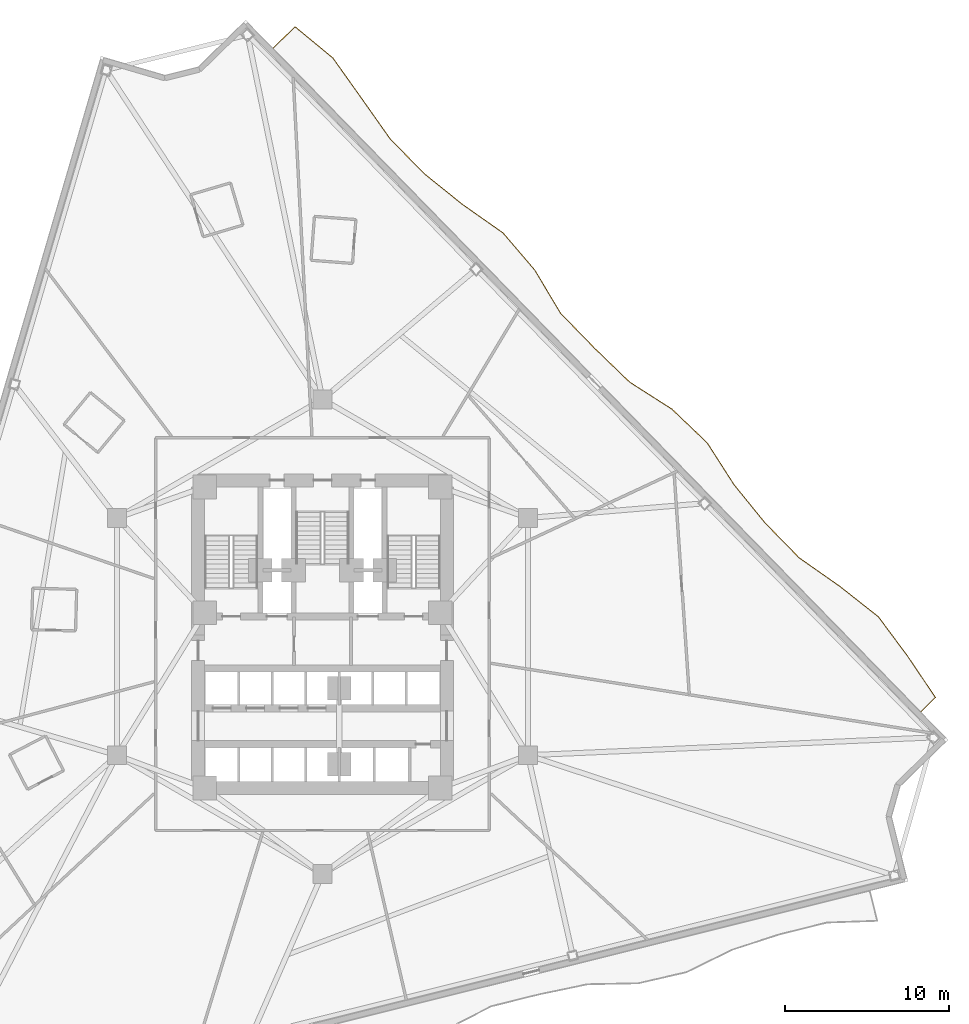
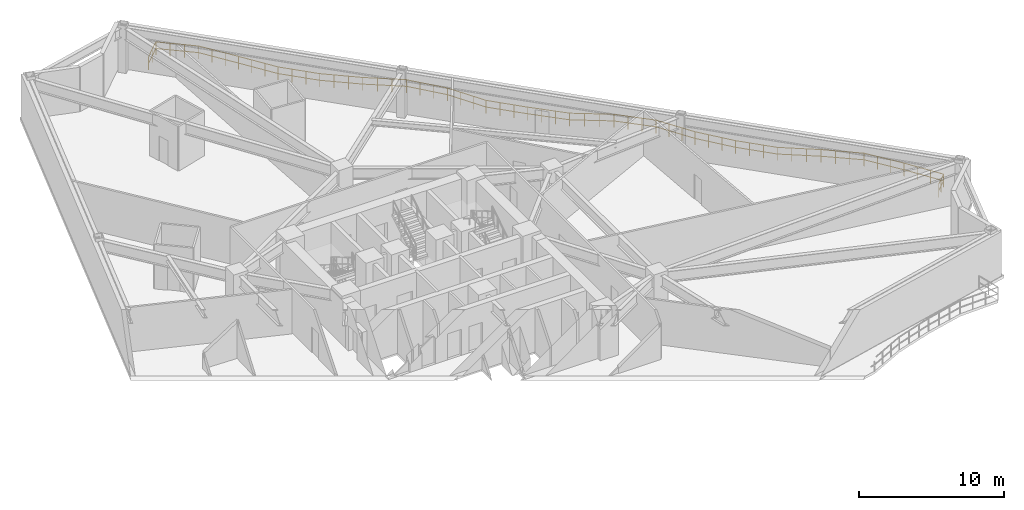
# One storey, part 9 of 9: 1 railing.
"""IFC4 building model written with IfcOpenShell, lengths in metres."""

import ifcopenshell
import ifcopenshell.guid

model = None  # the IFC model being written
_history = None  # IfcOwnerHistory: only IFC2X3 demands one
_inside = {}  # id of a spatial element -> (the spatial element, [elements in it])
_under = {}  # id of a project, library or spatial element -> (it, [spatial elements below it])
_declared = {}  # id of a project -> (the project, [libraries it declares])
_typed = {}  # id of a type object -> (the type object, [elements of that type])
_made_of = {}  # id of a material, layer set ... -> (it, [elements and type objects made of it])


def new_model(schema):
    """Start an empty IFC model of exactly this schema.

    Asked for "IFC4X3", IfcOpenShell would pick the latest addendum, in which some entities
    have other attributes; the version numbers below select the first issue.
    IFC2X3 requires an IfcOwnerHistory on every rooted entity: one is made here for all.
    """
    global model, _history
    if schema == "IFC4X3":
        model = ifcopenshell.file(schema_version=(4, 3, 0, 0))
    else:
        model = ifcopenshell.file(schema=schema)
    _inside.clear()
    _under.clear()
    _declared.clear()
    _typed.clear()
    _made_of.clear()
    _history = None
    if model.schema == "IFC2X3":
        org = make("IfcOrganization", Name="unknown")
        user = make(
            "IfcPersonAndOrganization",
            ThePerson=make("IfcPerson", FamilyName="unknown"),
            TheOrganization=org,
        )
        app = make(
            "IfcApplication",
            ApplicationDeveloper=org,
            Version="unknown",
            ApplicationFullName="unknown",
            ApplicationIdentifier="unknown",
        )
        _history = make(
            "IfcOwnerHistory",
            OwningUser=user,
            OwningApplication=app,
            ChangeAction="ADDED",
            CreationDate=0,
        )
    return model


def make(cls, **values):
    """One entity of the class cls with the attributes given. An attribute that is None is left unset."""
    return model.create_entity(
        cls, **{name: value for name, value in values.items() if value is not None}
    )


def rooted(cls, **values):
    """An entity with a GlobalId (a new one), such as an element, a storey or a relation."""
    return make(cls, GlobalId=ifcopenshell.guid.new(), OwnerHistory=_history, **values)


def si_unit(unit_type, name, prefix=None):
    """IfcSIUnit, for example si_unit("LENGTHUNIT", "METRE", prefix="MILLI")."""
    return make("IfcSIUnit", UnitType=unit_type, Prefix=prefix, Name=name)


def assignment(units):
    """IfcUnitAssignment: the units of a project."""
    return None if units is None else make("IfcUnitAssignment", Units=units)


def point(xyz):
    """IfcCartesianPoint."""
    return None if xyz is None else make("IfcCartesianPoint", Coordinates=xyz)


def direction(xyz):
    """IfcDirection."""
    return None if xyz is None else make("IfcDirection", DirectionRatios=xyz)


def frame(location, z_axis=None, x_axis=None):
    """IfcAxis2Placement3D, a coordinate frame: its origin and axes. An axis left out is left unset."""
    return make(
        "IfcAxis2Placement3D",
        Location=point(location),
        Axis=direction(z_axis),
        RefDirection=direction(x_axis),
    )


def frame_2d(location, x_axis=None):
    """IfcAxis2Placement2D, a coordinate frame in the plane: its origin and x axis."""
    return make(
        "IfcAxis2Placement2D", Location=point(location), RefDirection=direction(x_axis)
    )


def origin():
    """The frame at (0, 0, 0) with its axes left unset."""
    return frame((0.0, 0.0, 0.0))


def origin_2d():
    """The frame at (0, 0) in the plane with its x axis left unset."""
    return frame_2d((0.0, 0.0))


def place(relative_to, where):
    """IfcLocalPlacement: puts the frame where relative to a parent placement (None: the world)."""
    return make(
        "IfcLocalPlacement", PlacementRelTo=relative_to, RelativePlacement=where
    )


def context(
    kind, dimensions, precision=None, world=None, true_north=None, identifier=None
):
    """IfcGeometricRepresentationContext, for example the 3D "Model" context."""
    return make(
        "IfcGeometricRepresentationContext",
        ContextIdentifier=identifier,
        ContextType=kind,
        CoordinateSpaceDimension=dimensions,
        Precision=precision,
        WorldCoordinateSystem=world,
        TrueNorth=true_north,
    )


def subcontext(parent, identifier, kind, view, scale=None):
    """IfcGeometricRepresentationSubContext, for example "Body" below "Model"."""
    return make(
        "IfcGeometricRepresentationSubContext",
        ContextIdentifier=identifier,
        ContextType=kind,
        ParentContext=parent,
        TargetScale=scale,
        TargetView=view,
    )


def project(units=None, contexts=None):
    """IfcProject with its units and contexts."""
    return rooted(
        "IfcProject",
        Name="project",
        RepresentationContexts=contexts,
        UnitsInContext=assignment(units),
    )


def spatial(cls, under=None, at=None, **own):
    """A site, building, storey or space (cls), placed at a placement, below another one or the project."""
    s = rooted(cls, ObjectPlacement=at, **own)
    if under is not None:
        _under.setdefault(under.id(), (under, []))[1].append(s)
    return s


def profile(cls, at=None, kind="AREA", **sizes):
    """A parametric profile (cls). Its sizes go by their IFC names, for example OverallWidth=200.0."""
    return make(cls, ProfileType=kind, Position=at, **sizes)


def rectangle(**sizes):
    """IfcRectangleProfileDef."""
    return profile("IfcRectangleProfileDef", **sizes)


def extrude(swept, where, along, depth):
    """IfcExtrudedAreaSolid: the profile swept, set in the frame where, extruded along a direction by depth."""
    return make(
        "IfcExtrudedAreaSolid",
        SweptArea=swept,
        Position=where,
        ExtrudedDirection=direction(along),
        Depth=depth,
    )


def shape(context_of_items, identifier, shape_type, items):
    """IfcShapeRepresentation: the items that make up one representation, for example the "Body"."""
    return make(
        "IfcShapeRepresentation",
        ContextOfItems=context_of_items,
        RepresentationIdentifier=identifier,
        RepresentationType=shape_type,
        Items=items,
    )


def material(Name=None, Category=None):
    """IfcMaterial."""
    return make("IfcMaterial", Name=Name, Category=Category)


def made_of(thing, what):
    """Note that an element or type object is made of a material, layer set ...; save() writes the relation."""
    if what is not None:
        _made_of.setdefault(what.id(), (what, []))[1].append(thing)
    return thing


def type_object(cls, material=None, **own):
    """A type object (cls), such as IfcWallType, which elements share."""
    return made_of(rooted(cls, **own), material)


def element(
    cls,
    number,
    at=None,
    inside=None,
    cuts=None,
    type_object=None,
    material=None,
    context=None,
    identifier="Body",
    shape_type=None,
    held_by="IfcProductDefinitionShape",
    body=None,
    shapes=None,
    **own,
):
    """One element of the class cls, such as IfcWall. Its Tag is "e" and its number.

    at: its placement. inside: the storey or other place that contains it. cuts: it is an
    opening in that element (IfcRelVoidsElement). A single representation is given by context,
    identifier, shape_type and body (its items); several are given by shapes. held_by: the class
    of the entity that holds the representations. save() writes the other relations.
    """
    e = rooted(cls, Tag="e%d" % number, ObjectPlacement=at, **own)
    if body is not None:
        shapes = [shape(context, identifier, shape_type, body)]
    if shapes is not None:
        e.Representation = make(held_by, Representations=shapes)
    if inside is not None:
        _inside.setdefault(inside.id(), (inside, []))[1].append(e)
    if cuts is not None:
        rooted(
            "IfcRelVoidsElement", RelatingBuildingElement=cuts, RelatedOpeningElement=e
        )
    if type_object is not None:
        _typed.setdefault(type_object.id(), (type_object, []))[1].append(e)
    return made_of(e, material)


def aggregate(whole, parts):
    """IfcRelAggregates: a whole, such as a stair, and the parts it consists of."""
    return rooted("IfcRelAggregates", RelatingObject=whole, RelatedObjects=parts)


def save(model, path):
    """Write the relations noted so far, then the file.

    IfcRelAggregates (storeys below a building ...), IfcRelContainedInSpatialStructure (elements
    in a storey), IfcRelDefinesByType, IfcRelAssociatesMaterial and IfcRelDeclares: one each for
    every whole, place, type object, material and project.
    """
    for whole, parts in _under.values():
        aggregate(whole, parts)
    for where, things in _inside.values():
        rooted(
            "IfcRelContainedInSpatialStructure",
            RelatedElements=things,
            RelatingStructure=where,
        )
    for kind, things in _typed.values():
        rooted("IfcRelDefinesByType", RelatedObjects=things, RelatingType=kind)
    for what, things in _made_of.values():
        rooted("IfcRelAssociatesMaterial", RelatedObjects=things, RelatingMaterial=what)
    for by, libraries in _declared.values():
        rooted("IfcRelDeclares", RelatingContext=by, RelatedDefinitions=libraries)
    model.write(path)


model = new_model("IFC4")

# Units and contexts
model_context = context("Model", 3, precision=1e-05, world=origin(), true_north=direction((0.0, 1.0)))
body_context = subcontext(model_context, "Body", "Model", "MODEL_VIEW")
ifc_project = project(units=[si_unit("LENGTHUNIT", "METRE"), si_unit("AREAUNIT", "SQUARE_METRE"), si_unit("VOLUMEUNIT", "CUBIC_METRE"), si_unit("PLANEANGLEUNIT", "RADIAN"), si_unit("MASSUNIT", "GRAM", prefix="KILO")], contexts=[model_context])

# Site, building, storey
site_placement = place(None, origin())
site = spatial("IfcSite", under=ifc_project, at=site_placement, CompositionType="ELEMENT")
building_placement = place(site_placement, origin())
building = spatial("IfcBuilding", under=site, at=building_placement, Name="Apsidion Concourse Tower", CompositionType="ELEMENT")
storey_placement = place(building_placement, frame((0.0, 0.0, 111.0)))
storey = spatial("IfcBuildingStorey", under=building, at=storey_placement, Name="L25", CompositionType="ELEMENT", Elevation=111.0)

# Railing
ifc_material = material(Name="Brushed stainless steel 316", Category="steel")
railing_type = type_object("IfcRailingType", Name="RL-BAL-1120", PredefinedType="BALUSTRADE", material=ifc_material)
railing_placement = place(storey_placement, frame((-3.018310546875, 35.96728515625, 0.0)))
element("IfcRailing", 1, at=railing_placement, inside=storey, type_object=railing_type, Name="L25 Face 3 Rippling Balcony Balustrade", PredefinedType="BALUSTRADE", context=body_context, shape_type="SweptSolid", body=[
    extrude(rectangle(XDim=0.048095703125, YDim=0.048095703125, at=origin_2d()), frame((0.0, 0.0, 1.09619140625), z_axis=(0.715657977109, 0.698450900064, 0.0), x_axis=(-0.698450900064, 0.715657977109, 0.0)), (0.0, 0.0, 1.0), 1.872802734375),
    extrude(rectangle(XDim=0.048095703125, YDim=0.048095703125, at=origin_2d()), frame((0.0, 0.0, 0.5361328125), z_axis=(0.715657977109, 0.698450900064, 0.0), x_axis=(-0.698450900064, 0.715657977109, 0.0)), (0.0, 0.0, 1.0), 1.872802734375),
    extrude(rectangle(XDim=0.048095703125, YDim=0.048095703125, at=origin_2d()), frame((1.34033203125, 1.30810546875, 1.09619140625), z_axis=(0.771307360376, -0.636462847172, 0.0), x_axis=(0.636462847172, 0.771307360376, 0.0)), (0.0, 0.0, 1.0), 3.0),
    extrude(rectangle(XDim=0.048095703125, YDim=0.048095703125, at=origin_2d()), frame((1.34033203125, 1.30810546875, 0.5361328125), z_axis=(0.771307360376, -0.636462847172, 0.0), x_axis=(0.636462847172, 0.771307360376, 0.0)), (0.0, 0.0, 1.0), 3.0),
    extrude(rectangle(XDim=0.048095703125, YDim=0.048095703125, at=origin_2d()), frame((3.654296875, -0.601318359375, 1.09619140625), z_axis=(0.579600161337, -0.814901008085, 0.0), x_axis=(0.814901008085, 0.579600161337, 0.0)), (0.0, 0.0, 1.0), 3.019287109375),
    extrude(rectangle(XDim=0.048095703125, YDim=0.048095703125, at=origin_2d()), frame((3.654296875, -0.601318359375, 0.5361328125), z_axis=(0.579600161337, -0.814901008085, 0.0), x_axis=(0.814901008085, 0.579600161337, 0.0)), (0.0, 0.0, 1.0), 3.019287109375),
    extrude(rectangle(XDim=0.048095703125, YDim=0.048095703125, at=origin_2d()), frame((5.404296875, -3.061767578125, 1.09619140625), z_axis=(0.576181800103, -0.817321560483, 0.0), x_axis=(0.817321560483, 0.576181800103, 0.0)), (0.0, 0.0, 1.0), 3.021240234375),
    extrude(rectangle(XDim=0.048095703125, YDim=0.048095703125, at=origin_2d()), frame((5.404296875, -3.061767578125, 0.5361328125), z_axis=(0.576181800103, -0.817321560483, 0.0), x_axis=(0.817321560483, 0.576181800103, 0.0)), (0.0, 0.0, 1.0), 3.021240234375),
    extrude(rectangle(XDim=0.048095703125, YDim=0.048095703125, at=origin_2d()), frame((7.14501953125, -5.531005859375, 1.09619140625), z_axis=(0.698501798427, -0.715608298998, 0.0), x_axis=(0.715608298998, 0.698501798427, 0.0)), (0.0, 0.0, 1.0), 2.98291015625),
    extrude(rectangle(XDim=0.048095703125, YDim=0.048095703125, at=origin_2d()), frame((7.14501953125, -5.531005859375, 0.5361328125), z_axis=(0.698501798427, -0.715608298998, 0.0), x_axis=(0.715608298998, 0.698501798427, 0.0)), (0.0, 0.0, 1.0), 2.98291015625),
    extrude(rectangle(XDim=0.048095703125, YDim=0.048095703125, at=origin_2d()), frame((9.228515625, -7.66552734375, 1.09619140625), z_axis=(0.779384228734, -0.626546266448, 0.0), x_axis=(0.626546266448, 0.779384228734, 0.0)), (0.0, 0.0, 1.0), 3.004638671875),
    extrude(rectangle(XDim=0.048095703125, YDim=0.048095703125, at=origin_2d()), frame((9.228515625, -7.66552734375, 0.5361328125), z_axis=(0.779384228734, -0.626546266448, 0.0), x_axis=(0.626546266448, 0.779384228734, 0.0)), (0.0, 0.0, 1.0), 3.004638671875),
    extrude(rectangle(XDim=0.048095703125, YDim=0.048095703125, at=origin_2d()), frame((11.5703125, -9.548095703125, 1.09619140625), z_axis=(0.818365530483, -0.574698058564, 0.0), x_axis=(0.574698058564, 0.818365530483, 0.0)), (0.0, 0.0, 1.0), 3.034912109375),
    extrude(rectangle(XDim=0.048095703125, YDim=0.048095703125, at=origin_2d()), frame((11.5703125, -9.548095703125, 0.5361328125), z_axis=(0.818365530483, -0.574698058564, 0.0), x_axis=(0.574698058564, 0.818365530483, 0.0)), (0.0, 0.0, 1.0), 3.034912109375),
    extrude(rectangle(XDim=0.048095703125, YDim=0.048095703125, at=origin_2d()), frame((14.053955078125, -11.292236328125, 1.09619140625), z_axis=(0.649391414174, -0.760454332091, 0.0), x_axis=(0.760454332091, 0.649391414174, 0.0)), (0.0, 0.0, 1.0), 2.989501953125),
    extrude(rectangle(XDim=0.048095703125, YDim=0.048095703125, at=origin_2d()), frame((14.053955078125, -11.292236328125, 0.5361328125), z_axis=(0.649391414174, -0.760454332091, 0.0), x_axis=(0.760454332091, 0.649391414174, 0.0)), (0.0, 0.0, 1.0), 2.989501953125),
    extrude(rectangle(XDim=0.048095703125, YDim=0.048095703125, at=origin_2d()), frame((15.995361328125, -13.565673828125, 1.09619140625), z_axis=(0.51285601398, -0.858474640816, 0.0), x_axis=(0.858474640816, 0.51285601398, 0.0)), (0.0, 0.0, 1.0), 3.067138671875),
    extrude(rectangle(XDim=0.048095703125, YDim=0.048095703125, at=origin_2d()), frame((15.995361328125, -13.565673828125, 0.5361328125), z_axis=(0.51285601398, -0.858474640816, 0.0), x_axis=(0.858474640816, 0.51285601398, 0.0)), (0.0, 0.0, 1.0), 3.067138671875),
    extrude(rectangle(XDim=0.048095703125, YDim=0.048095703125, at=origin_2d()), frame((17.568359375, -16.19873046875, 1.09619140625), z_axis=(0.696636491139, -0.717424281171, 0.0), x_axis=(0.717424281171, 0.696636491139, 0.0)), (0.0, 0.0, 1.0), 2.983154296875),
    extrude(rectangle(XDim=0.048095703125, YDim=0.048095703125, at=origin_2d()), frame((17.568359375, -16.19873046875, 0.5361328125), z_axis=(0.696636491139, -0.717424281171, 0.0), x_axis=(0.717424281171, 0.696636491139, 0.0)), (0.0, 0.0, 1.0), 2.983154296875),
    extrude(rectangle(XDim=0.048095703125, YDim=0.048095703125, at=origin_2d()), frame((19.646484375, -18.3388671875, 1.09619140625), z_axis=(0.719312642005, -0.694686492637, 0.0), x_axis=(0.694686492637, 0.719312642005, 0.0)), (0.0, 0.0, 1.0), 2.984130859375),
    extrude(rectangle(XDim=0.048095703125, YDim=0.048095703125, at=origin_2d()), frame((19.646484375, -18.3388671875, 0.5361328125), z_axis=(0.719312642005, -0.694686492637, 0.0), x_axis=(0.694686492637, 0.719312642005, 0.0)), (0.0, 0.0, 1.0), 2.984130859375),
    extrude(rectangle(XDim=0.048095703125, YDim=0.048095703125, at=origin_2d()), frame((21.79296875, -20.411865234375, 1.09619140625), z_axis=(0.842731415999, -0.538334246066, 0.0), x_axis=(0.538334246066, 0.842731415999, 0.0)), (0.0, 0.0, 1.0), 3.06298828125),
    extrude(rectangle(XDim=0.048095703125, YDim=0.048095703125, at=origin_2d()), frame((21.79296875, -20.411865234375, 0.5361328125), z_axis=(0.842731415999, -0.538334246066, 0.0), x_axis=(0.538334246066, 0.842731415999, 0.0)), (0.0, 0.0, 1.0), 3.06298828125),
    extrude(rectangle(XDim=0.048095703125, YDim=0.048095703125, at=origin_2d()), frame((24.374267578125, -22.060791015625, 1.09619140625), z_axis=(0.723156816679, -0.690683877393, 0.0), x_axis=(0.690683877393, 0.723156816679, 0.0)), (0.0, 0.0, 1.0), 2.98486328125),
    extrude(rectangle(XDim=0.048095703125, YDim=0.048095703125, at=origin_2d()), frame((24.374267578125, -22.060791015625, 0.5361328125), z_axis=(0.723156816679, -0.690683877393, 0.0), x_axis=(0.690683877393, 0.723156816679, 0.0)), (0.0, 0.0, 1.0), 2.98486328125),
    extrude(rectangle(XDim=0.048095703125, YDim=0.048095703125, at=origin_2d()), frame((26.53271484375, -24.122314453125, 1.09619140625), z_axis=(0.539756438242, -0.841821232434, 0.0), x_axis=(0.841821232434, 0.539756438242, 0.0)), (0.0, 0.0, 1.0), 3.04541015625),
    extrude(rectangle(XDim=0.048095703125, YDim=0.048095703125, at=origin_2d()), frame((26.53271484375, -24.122314453125, 0.5361328125), z_axis=(0.539756438242, -0.841821232434, 0.0), x_axis=(0.841821232434, 0.539756438242, 0.0)), (0.0, 0.0, 1.0), 3.04541015625),
    extrude(rectangle(XDim=0.048095703125, YDim=0.048095703125, at=origin_2d()), frame((28.176513671875, -26.68603515625, 1.09619140625), z_axis=(0.630166039737, -0.776460406178, 0.0), x_axis=(0.776460406178, 0.630166039737, 0.0)), (0.0, 0.0, 1.0), 2.99560546875),
    extrude(rectangle(XDim=0.048095703125, YDim=0.048095703125, at=origin_2d()), frame((28.176513671875, -26.68603515625, 0.5361328125), z_axis=(0.630166039737, -0.776460406178, 0.0), x_axis=(0.776460406178, 0.630166039737, 0.0)), (0.0, 0.0, 1.0), 2.99560546875),
    extrude(rectangle(XDim=0.048095703125, YDim=0.048095703125, at=origin_2d()), frame((30.064208984375, -29.011962890625, 1.09619140625), z_axis=(0.698501798427, -0.715608298998, 0.0), x_axis=(0.715608298998, 0.698501798427, 0.0)), (0.0, 0.0, 1.0), 2.98291015625),
    extrude(rectangle(XDim=0.048095703125, YDim=0.048095703125, at=origin_2d()), frame((30.064208984375, -29.011962890625, 0.5361328125), z_axis=(0.698501798427, -0.715608298998, 0.0), x_axis=(0.715608298998, 0.698501798427, 0.0)), (0.0, 0.0, 1.0), 2.98291015625),
    extrude(rectangle(XDim=0.048095703125, YDim=0.048095703125, at=origin_2d()), frame((32.147705078125, -31.146484375, 1.09619140625), z_axis=(0.818649572289, -0.574293372582, 0.0), x_axis=(0.574293372582, 0.818649572289, 0.0)), (0.0, 0.0, 1.0), 3.035400390625),
    extrude(rectangle(XDim=0.048095703125, YDim=0.048095703125, at=origin_2d()), frame((32.147705078125, -31.146484375, 0.5361328125), z_axis=(0.818649572289, -0.574293372582, 0.0), x_axis=(0.574293372582, 0.818649572289, 0.0)), (0.0, 0.0, 1.0), 3.035400390625),
    extrude(rectangle(XDim=0.048095703125, YDim=0.048095703125, at=origin_2d()), frame((34.632568359375, -32.8896484375, 1.09619140625), z_axis=(0.78520466057, -0.619236336966, 0.0), x_axis=(0.619236336966, 0.78520466057, 0.0)), (0.0, 0.0, 1.0), 3.00830078125),
    extrude(rectangle(XDim=0.048095703125, YDim=0.048095703125, at=origin_2d()), frame((34.632568359375, -32.8896484375, 0.5361328125), z_axis=(0.78520466057, -0.619236336966, 0.0), x_axis=(0.619236336966, 0.78520466057, 0.0)), (0.0, 0.0, 1.0), 3.00830078125),
    extrude(rectangle(XDim=0.048095703125, YDim=0.048095703125, at=origin_2d()), frame((36.99462890625, -34.75244140625, 1.09619140625), z_axis=(0.595826676709, -0.80311305015, 0.0), x_axis=(0.80311305015, 0.595826676709, 0.0)), (0.0, 0.0, 1.0), 3.010498046875),
    extrude(rectangle(XDim=0.048095703125, YDim=0.048095703125, at=origin_2d()), frame((36.99462890625, -34.75244140625, 0.5361328125), z_axis=(0.595826676709, -0.80311305015, 0.0), x_axis=(0.80311305015, 0.595826676709, 0.0)), (0.0, 0.0, 1.0), 3.010498046875),
    extrude(rectangle(XDim=0.048095703125, YDim=0.048095703125, at=origin_2d()), frame((38.788330078125, -37.170166015625, 1.09619140625), z_axis=(0.558540463862, -0.829477275293, 0.0), x_axis=(0.829477275293, 0.558540463862, 0.0)), (0.0, 0.0, 1.0), 3.0322265625),
    extrude(rectangle(XDim=0.048095703125, YDim=0.048095703125, at=origin_2d()), frame((38.788330078125, -37.170166015625, 0.5361328125), z_axis=(0.558540463862, -0.829477275293, 0.0), x_axis=(0.829477275293, 0.558540463862, 0.0)), (0.0, 0.0, 1.0), 3.0322265625),
    extrude(rectangle(XDim=0.048095703125, YDim=0.048095703125, at=origin_2d()), frame((40.48193359375, -39.685302734375, 1.09619140625), z_axis=(-0.715648587439, -0.698460520929, 0.0), x_axis=(0.698460520929, -0.715648587439, 0.0)), (0.0, 0.0, 1.0), 1.25),
    extrude(rectangle(XDim=0.048095703125, YDim=0.048095703125, at=origin_2d()), frame((40.48193359375, -39.685302734375, 0.5361328125), z_axis=(-0.715648587439, -0.698460520929, 0.0), x_axis=(0.698460520929, -0.715648587439, 0.0)), (0.0, 0.0, 1.0), 1.25),
    extrude(rectangle(XDim=0.0419921875, YDim=0.0419921875, at=origin_2d()), origin(), (0.0, 0.0, 1.0), 1.072021484375),
    extrude(rectangle(XDim=0.0419921875, YDim=0.0419921875, at=origin_2d()), frame((0.670166015625, 0.654052734375, 0.0)), (0.0, 0.0, 1.0), 1.072021484375),
    extrude(rectangle(XDim=0.0419921875, YDim=0.0419921875, at=origin_2d()), frame((1.34033203125, 1.30810546875, 0.0)), (0.0, 0.0, 1.0), 1.072021484375),
    extrude(rectangle(XDim=0.0419921875, YDim=0.0419921875, at=origin_2d()), frame((2.111572265625, 0.671630859375, 0.0)), (0.0, 0.0, 1.0), 1.072021484375),
    extrude(rectangle(XDim=0.0419921875, YDim=0.0419921875, at=origin_2d()), frame((2.883056640625, 0.03515625, 0.0)), (0.0, 0.0, 1.0), 1.072021484375),
    extrude(rectangle(XDim=0.0419921875, YDim=0.0419921875, at=origin_2d()), frame((3.654296875, -0.601318359375, 0.0)), (0.0, 0.0, 1.0), 1.072021484375),
    extrude(rectangle(XDim=0.0419921875, YDim=0.0419921875, at=origin_2d()), frame((4.237548828125, -1.42138671875, 0.0)), (0.0, 0.0, 1.0), 1.072021484375),
    extrude(rectangle(XDim=0.0419921875, YDim=0.0419921875, at=origin_2d()), frame((4.821044921875, -2.24169921875, 0.0)), (0.0, 0.0, 1.0), 1.072021484375),
    extrude(rectangle(XDim=0.0419921875, YDim=0.0419921875, at=origin_2d()), frame((5.404296875, -3.061767578125, 0.0)), (0.0, 0.0, 1.0), 1.072021484375),
    extrude(rectangle(XDim=0.0419921875, YDim=0.0419921875, at=origin_2d()), frame((5.984619140625, -3.884765625, 0.0)), (0.0, 0.0, 1.0), 1.072021484375),
    extrude(rectangle(XDim=0.0419921875, YDim=0.0419921875, at=origin_2d()), frame((6.564697265625, -4.7080078125, 0.0)), (0.0, 0.0, 1.0), 1.072021484375),
    extrude(rectangle(XDim=0.0419921875, YDim=0.0419921875, at=origin_2d()), frame((7.14501953125, -5.531005859375, 0.0)), (0.0, 0.0, 1.0), 1.072021484375),
    extrude(rectangle(XDim=0.0419921875, YDim=0.0419921875, at=origin_2d()), frame((7.839599609375, -6.242431640625, 0.0)), (0.0, 0.0, 1.0), 1.072021484375),
    extrude(rectangle(XDim=0.0419921875, YDim=0.0419921875, at=origin_2d()), frame((8.533935546875, -6.9541015625, 0.0)), (0.0, 0.0, 1.0), 1.072021484375),
    extrude(rectangle(XDim=0.0419921875, YDim=0.0419921875, at=origin_2d()), frame((9.228515625, -7.66552734375, 0.0)), (0.0, 0.0, 1.0), 1.072021484375),
    extrude(rectangle(XDim=0.0419921875, YDim=0.0419921875, at=origin_2d()), frame((10.009033203125, -8.29296875, 0.0)), (0.0, 0.0, 1.0), 1.072021484375),
    extrude(rectangle(XDim=0.0419921875, YDim=0.0419921875, at=origin_2d()), frame((10.789794921875, -8.920654296875, 0.0)), (0.0, 0.0, 1.0), 1.072021484375),
    extrude(rectangle(XDim=0.0419921875, YDim=0.0419921875, at=origin_2d()), frame((11.5703125, -9.548095703125, 0.0)), (0.0, 0.0, 1.0), 1.072021484375),
    extrude(rectangle(XDim=0.0419921875, YDim=0.0419921875, at=origin_2d()), frame((12.398193359375, -10.12939453125, 0.0)), (0.0, 0.0, 1.0), 1.072021484375),
    extrude(rectangle(XDim=0.0419921875, YDim=0.0419921875, at=origin_2d()), frame((13.22607421875, -10.7109375, 0.0)), (0.0, 0.0, 1.0), 1.072021484375),
    extrude(rectangle(XDim=0.0419921875, YDim=0.0419921875, at=origin_2d()), frame((14.053955078125, -11.292236328125, 0.0)), (0.0, 0.0, 1.0), 1.072021484375),
    extrude(rectangle(XDim=0.0419921875, YDim=0.0419921875, at=origin_2d()), frame((14.701171875, -12.050048828125, 0.0)), (0.0, 0.0, 1.0), 1.072021484375),
    extrude(rectangle(XDim=0.0419921875, YDim=0.0419921875, at=origin_2d()), frame((15.34814453125, -12.807861328125, 0.0)), (0.0, 0.0, 1.0), 1.072021484375),
    extrude(rectangle(XDim=0.0419921875, YDim=0.0419921875, at=origin_2d()), frame((15.995361328125, -13.565673828125, 0.0)), (0.0, 0.0, 1.0), 1.072021484375),
    extrude(rectangle(XDim=0.0419921875, YDim=0.0419921875, at=origin_2d()), frame((16.519775390625, -14.443359375, 0.0)), (0.0, 0.0, 1.0), 1.072021484375),
    extrude(rectangle(XDim=0.0419921875, YDim=0.0419921875, at=origin_2d()), frame((17.0439453125, -15.321044921875, 0.0)), (0.0, 0.0, 1.0), 1.072021484375),
    extrude(rectangle(XDim=0.0419921875, YDim=0.0419921875, at=origin_2d()), frame((17.568359375, -16.19873046875, 0.0)), (0.0, 0.0, 1.0), 1.072021484375),
    extrude(rectangle(XDim=0.0419921875, YDim=0.0419921875, at=origin_2d()), frame((18.260986328125, -16.912109375, 0.0)), (0.0, 0.0, 1.0), 1.072021484375),
    extrude(rectangle(XDim=0.0419921875, YDim=0.0419921875, at=origin_2d()), frame((18.953857421875, -17.62548828125, 0.0)), (0.0, 0.0, 1.0), 1.072021484375),
    extrude(rectangle(XDim=0.0419921875, YDim=0.0419921875, at=origin_2d()), frame((19.646484375, -18.3388671875, 0.0)), (0.0, 0.0, 1.0), 1.072021484375),
    extrude(rectangle(XDim=0.0419921875, YDim=0.0419921875, at=origin_2d()), frame((20.362060546875, -19.02978515625, 0.0)), (0.0, 0.0, 1.0), 1.072021484375),
    extrude(rectangle(XDim=0.0419921875, YDim=0.0419921875, at=origin_2d()), frame((21.077392578125, -19.720947265625, 0.0)), (0.0, 0.0, 1.0), 1.072021484375),
    extrude(rectangle(XDim=0.0419921875, YDim=0.0419921875, at=origin_2d()), frame((21.79296875, -20.411865234375, 0.0)), (0.0, 0.0, 1.0), 1.072021484375),
    extrude(rectangle(XDim=0.0419921875, YDim=0.0419921875, at=origin_2d()), frame((22.6533203125, -20.96142578125, 0.0)), (0.0, 0.0, 1.0), 1.072021484375),
    extrude(rectangle(XDim=0.0419921875, YDim=0.0419921875, at=origin_2d()), frame((23.513916015625, -21.51123046875, 0.0)), (0.0, 0.0, 1.0), 1.072021484375),
    extrude(rectangle(XDim=0.0419921875, YDim=0.0419921875, at=origin_2d()), frame((24.374267578125, -22.060791015625, 0.0)), (0.0, 0.0, 1.0), 1.072021484375),
    extrude(rectangle(XDim=0.0419921875, YDim=0.0419921875, at=origin_2d()), frame((25.09375, -22.748046875, 0.0)), (0.0, 0.0, 1.0), 1.072021484375),
    extrude(rectangle(XDim=0.0419921875, YDim=0.0419921875, at=origin_2d()), frame((25.813232421875, -23.43505859375, 0.0)), (0.0, 0.0, 1.0), 1.072021484375),
    extrude(rectangle(XDim=0.0419921875, YDim=0.0419921875, at=origin_2d()), frame((26.53271484375, -24.122314453125, 0.0)), (0.0, 0.0, 1.0), 1.072021484375),
    extrude(rectangle(XDim=0.0419921875, YDim=0.0419921875, at=origin_2d()), frame((27.08056640625, -24.976806640625, 0.0)), (0.0, 0.0, 1.0), 1.072021484375),
    extrude(rectangle(XDim=0.0419921875, YDim=0.0419921875, at=origin_2d()), frame((27.628662109375, -25.83154296875, 0.0)), (0.0, 0.0, 1.0), 1.072021484375),
    extrude(rectangle(XDim=0.0419921875, YDim=0.0419921875, at=origin_2d()), frame((28.176513671875, -26.68603515625, 0.0)), (0.0, 0.0, 1.0), 1.072021484375),
    extrude(rectangle(XDim=0.0419921875, YDim=0.0419921875, at=origin_2d()), frame((28.8056640625, -27.46142578125, 0.0)), (0.0, 0.0, 1.0), 1.072021484375),
    extrude(rectangle(XDim=0.0419921875, YDim=0.0419921875, at=origin_2d()), frame((29.43505859375, -28.236572265625, 0.0)), (0.0, 0.0, 1.0), 1.072021484375),
    extrude(rectangle(XDim=0.0419921875, YDim=0.0419921875, at=origin_2d()), frame((30.064208984375, -29.011962890625, 0.0)), (0.0, 0.0, 1.0), 1.072021484375),
    extrude(rectangle(XDim=0.0419921875, YDim=0.0419921875, at=origin_2d()), frame((30.7587890625, -29.723388671875, 0.0)), (0.0, 0.0, 1.0), 1.072021484375),
    extrude(rectangle(XDim=0.0419921875, YDim=0.0419921875, at=origin_2d()), frame((31.453125, -30.43505859375, 0.0)), (0.0, 0.0, 1.0), 1.072021484375),
    extrude(rectangle(XDim=0.0419921875, YDim=0.0419921875, at=origin_2d()), frame((32.147705078125, -31.146484375, 0.0)), (0.0, 0.0, 1.0), 1.072021484375),
    extrude(rectangle(XDim=0.0419921875, YDim=0.0419921875, at=origin_2d()), frame((32.97607421875, -31.7275390625, 0.0)), (0.0, 0.0, 1.0), 1.072021484375),
    extrude(rectangle(XDim=0.0419921875, YDim=0.0419921875, at=origin_2d()), frame((33.80419921875, -32.30859375, 0.0)), (0.0, 0.0, 1.0), 1.072021484375),
    extrude(rectangle(XDim=0.0419921875, YDim=0.0419921875, at=origin_2d()), frame((34.632568359375, -32.8896484375, 0.0)), (0.0, 0.0, 1.0), 1.072021484375),
    extrude(rectangle(XDim=0.0419921875, YDim=0.0419921875, at=origin_2d()), frame((35.419921875, -33.510498046875, 0.0)), (0.0, 0.0, 1.0), 1.072021484375),
    extrude(rectangle(XDim=0.0419921875, YDim=0.0419921875, at=origin_2d()), frame((36.207275390625, -34.131591796875, 0.0)), (0.0, 0.0, 1.0), 1.072021484375),
    extrude(rectangle(XDim=0.0419921875, YDim=0.0419921875, at=origin_2d()), frame((36.99462890625, -34.75244140625, 0.0)), (0.0, 0.0, 1.0), 1.072021484375),
    extrude(rectangle(XDim=0.0419921875, YDim=0.0419921875, at=origin_2d()), frame((37.592529296875, -35.558349609375, 0.0)), (0.0, 0.0, 1.0), 1.072021484375),
    extrude(rectangle(XDim=0.0419921875, YDim=0.0419921875, at=origin_2d()), frame((38.1904296875, -36.3642578125, 0.0)), (0.0, 0.0, 1.0), 1.072021484375),
    extrude(rectangle(XDim=0.0419921875, YDim=0.0419921875, at=origin_2d()), frame((38.788330078125, -37.170166015625, 0.0)), (0.0, 0.0, 1.0), 1.072021484375),
    extrude(rectangle(XDim=0.0419921875, YDim=0.0419921875, at=origin_2d()), frame((39.352783203125, -38.008544921875, 0.0)), (0.0, 0.0, 1.0), 1.072021484375),
    extrude(rectangle(XDim=0.0419921875, YDim=0.0419921875, at=origin_2d()), frame((39.91748046875, -38.846923828125, 0.0)), (0.0, 0.0, 1.0), 1.072021484375),
    extrude(rectangle(XDim=0.0419921875, YDim=0.0419921875, at=origin_2d()), frame((40.48193359375, -39.685302734375, 0.0)), (0.0, 0.0, 1.0), 1.072021484375),
    extrude(rectangle(XDim=0.0419921875, YDim=0.0419921875, at=origin_2d()), frame((40.03466796875, -40.121826171875, 0.0)), (0.0, 0.0, 1.0), 1.072021484375),
    extrude(rectangle(XDim=0.0419921875, YDim=0.0419921875, at=origin_2d()), frame((39.58740234375, -40.558349609375, 0.0)), (0.0, 0.0, 1.0), 1.072021484375),
])

save(model, "model.ifc")
